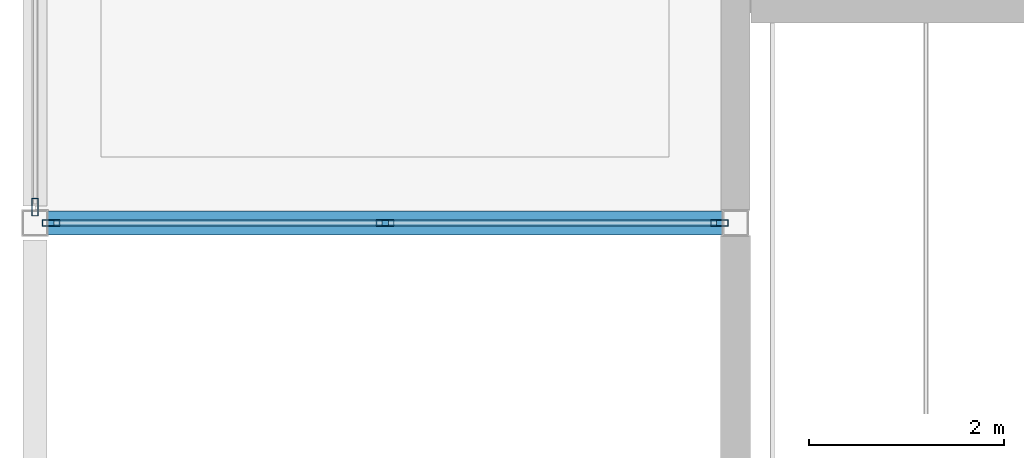
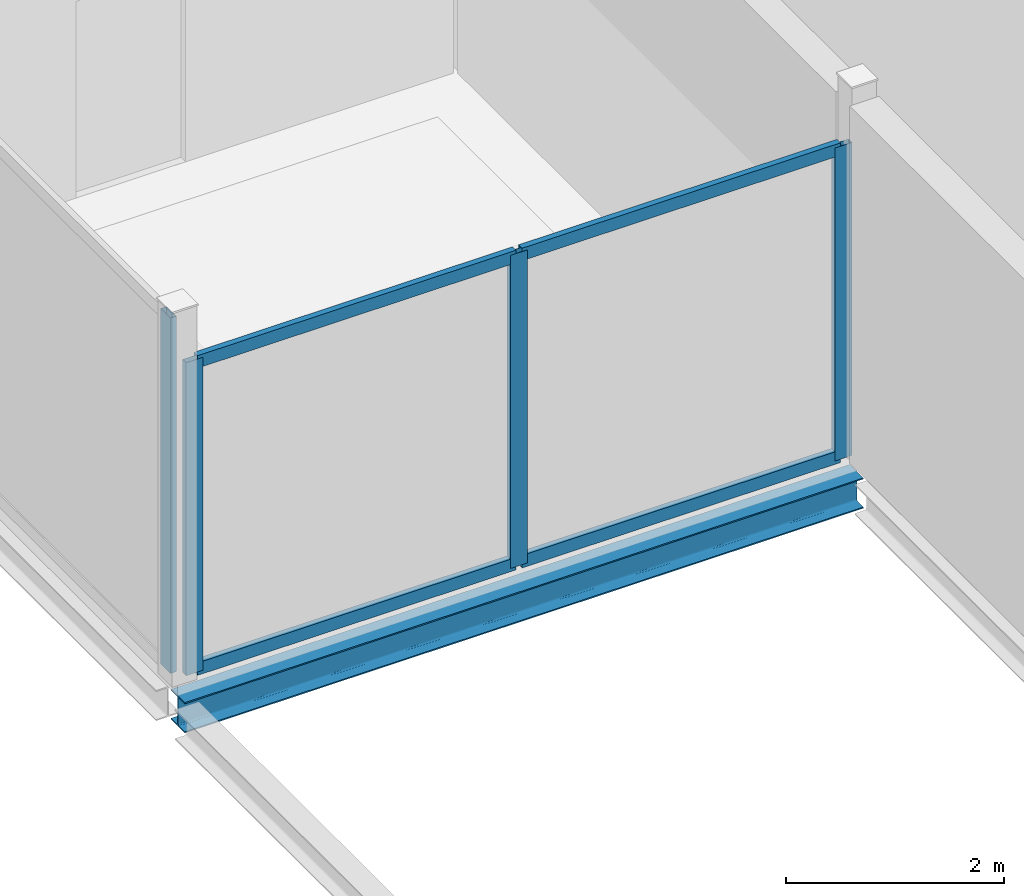
# One storey, part 5 of 18: 8 members, 1 beam, 2 elements without a shape of their own.
"""IFC4 building model written with IfcOpenShell, lengths in metres."""

from ifc_helpers import new_model, si_unit, direction, frame, origin, origin_2d, place, context, subcontext, project, spatial, hollow_rectangle, i_section, extrude, material, material_profile, profile_set, type_object, element, aggregate, save


model = new_model("IFC4")

# Units and contexts
model_context = context("Model", 3, precision=1e-05, world=origin(), true_north=direction((0.0, 1.0)))
body_context = subcontext(model_context, "Body", "Model", "MODEL_VIEW")
ifc_project = project(units=[si_unit("LENGTHUNIT", "METRE"), si_unit("AREAUNIT", "SQUARE_METRE"), si_unit("VOLUMEUNIT", "CUBIC_METRE"), si_unit("PLANEANGLEUNIT", "RADIAN"), si_unit("MASSUNIT", "GRAM", prefix="KILO")], contexts=[model_context])

# Site, building, storey
site_placement = place(None, origin())
site = spatial("IfcSite", under=ifc_project, at=site_placement, CompositionType="ELEMENT")
building_placement = place(site_placement, origin())
building = spatial("IfcBuilding", under=site, at=building_placement, Name="Vesperath Aquatics Centre", CompositionType="ELEMENT")
storey_placement = place(building_placement, frame((0.0, 0.0, 23.39990234375)))
storey = spatial("IfcBuildingStorey", under=building, at=storey_placement, Name="L05", CompositionType="ELEMENT", Elevation=23.39990234375)

# Beam
ifc_material_1 = material(Name="Steel Q355C", Category="steel")
ifc_material_profile_1 = material_profile(ifc_material_1, i_section(OverallWidth=0.25, OverallDepth=0.340087890625, WebThickness=0.009033203125, FlangeThickness=0.013916015625, FilletRadius=0.02001953125, at=origin_2d()), Name="HM 340x250x9x14")
ifc_profile_set_1 = profile_set([ifc_material_profile_1], Name="Steel Q355C")
beam_type = type_object("IfcBeamType", Name="BM-G12", PredefinedType="BEAM", material=ifc_profile_set_1)
beam_placement = place(storey_placement, frame((115.2060546875, 7.199951171875, -0.389892578125), z_axis=(1.0, 0.0, 0.0), x_axis=(0.0, 1.0, 0.0)))
element("IfcBeam", 1, at=beam_placement, inside=storey, type_object=beam_type, Name="Floor Girder B12 L05 B 17-18", PredefinedType="BEAM", context=body_context, shape_type="SweptSolid", body=[
    extrude(i_section(OverallWidth=0.25, OverallDepth=0.340087890625, WebThickness=0.009033203125, FlangeThickness=0.013916015625, FilletRadius=0.02001953125, at=origin_2d()), origin(), (0.0, 0.0, 1.0), 7.18798828125),
])

# Curtain wall, members
ifc_material_2 = material(Name="Thermally broken anodised bronze aluminium curtain wall", Category="aluminium")
curtain_wall_type = type_object("IfcCurtainWallType", Name="CW-07", PredefinedType="NOTDEFINED", material=ifc_material_2)
curtain_wall_1_placement = place(storey_placement, origin())
curtain_wall_1 = element("IfcCurtainWall", 2, at=curtain_wall_1_placement, inside=storey, type_object=curtain_wall_type, Name="Facade Curtain Wall CW07 L05_S_16_01", PredefinedType="NOTDEFINED")
ifc_material_3 = material(Name="Thermally broken anodised aluminium", Category="aluminium")
ifc_material_profile_2 = material_profile(ifc_material_3, hollow_rectangle(XDim=0.06494140625, YDim=0.179931640625, WallThickness=0.00390625, at=origin_2d()), Name="CWM 65x180x4")
ifc_profile_set_2 = profile_set([ifc_material_profile_2], Name="Thermally broken anodised aluminium")
member_type_1 = type_object("IfcMemberType", Name="MB-CWM3", PredefinedType="MULLION", material=ifc_profile_set_2)
member_1_placement = place(storey_placement, frame((115.362548828125, 7.199951171875, 0.0), z_axis=(0.0, 0.0, 1.0), x_axis=(0.0, 1.0, 0.0)))
member_1 = element("IfcMember", 3, at=member_1_placement, type_object=member_type_1, Name="CW07 mullion 1", PredefinedType="MULLION", context=body_context, shape_type="SweptSolid", body=[
    extrude(hollow_rectangle(XDim=0.06494140625, YDim=0.179931640625, WallThickness=0.00390625, at=origin_2d()), origin(), (0.0, 0.0, 1.0), 3.505126953125),
])
member_2_placement = place(storey_placement, frame((118.800048828125, 7.199951171875, 0.0), z_axis=(0.0, 0.0, 1.0), x_axis=(0.0, 1.0, 0.0)))
member_2 = element("IfcMember", 4, at=member_2_placement, type_object=member_type_1, Name="CW07 mullion 2", PredefinedType="MULLION", context=body_context, shape_type="SweptSolid", body=[
    extrude(hollow_rectangle(XDim=0.06494140625, YDim=0.179931640625, WallThickness=0.00390625, at=origin_2d()), origin(), (0.0, 0.0, 1.0), 3.505126953125),
])
member_3_placement = place(storey_placement, frame((122.237548828125, 7.199951171875, 0.0), z_axis=(0.0, 0.0, 1.0), x_axis=(0.0, 1.0, 0.0)))
member_3 = element("IfcMember", 5, at=member_3_placement, type_object=member_type_1, Name="CW07 mullion 3", PredefinedType="MULLION", context=body_context, shape_type="SweptSolid", body=[
    extrude(hollow_rectangle(XDim=0.06494140625, YDim=0.179931640625, WallThickness=0.00390625, at=origin_2d()), origin(), (0.0, 0.0, 1.0), 3.505126953125),
])

# Curtain wall, member
curtain_wall_2_placement = place(storey_placement, origin())
curtain_wall_2 = element("IfcCurtainWall", 6, at=curtain_wall_2_placement, inside=storey, type_object=curtain_wall_type, Name="Facade Curtain Wall CW07 L05_W_16_01", PredefinedType="NOTDEFINED")
member_4_placement = place(storey_placement, frame((115.199951171875, 7.362548828125, 0.0), z_axis=(0.0, 0.0, 1.0), x_axis=(-1.0, 0.0, 0.0)))
member_4 = element("IfcMember", 7, at=member_4_placement, type_object=member_type_1, Name="CW07 mullion 1", PredefinedType="MULLION", context=body_context, shape_type="SweptSolid", body=[
    extrude(hollow_rectangle(XDim=0.06494140625, YDim=0.179931640625, WallThickness=0.00390625, at=origin_2d()), origin(), (0.0, 0.0, 1.0), 3.97998046875),
])
aggregate(curtain_wall_2, [member_4])

# Member
ifc_material_profile_3 = material_profile(ifc_material_3, hollow_rectangle(XDim=0.06494140625, YDim=0.139892578125, WallThickness=0.00390625, at=origin_2d()), Name="CWT 65x140x4")
ifc_profile_set_3 = profile_set([ifc_material_profile_3], Name="Thermally broken anodised aluminium")
member_type_2 = type_object("IfcMemberType", Name="MB-CWT3", PredefinedType="USERDEFINED", material=ifc_profile_set_3)
member_5_placement = place(storey_placement, frame((115.39501953125, 7.199951171875, 0.03271484375), z_axis=(1.0, 0.0, 0.0), x_axis=(0.0, 1.0, 0.0)))
member_5 = element("IfcMember", 8, at=member_5_placement, type_object=member_type_2, Name="CW07 transom 1.1", ObjectType="TRANSOM", PredefinedType="USERDEFINED", context=body_context, shape_type="SweptSolid", body=[
    extrude(hollow_rectangle(XDim=0.06494140625, YDim=0.139892578125, WallThickness=0.00390625, at=origin_2d()), origin(), (0.0, 0.0, 1.0), 3.37255859375),
])

member_6_placement = place(storey_placement, frame((115.39501953125, 7.199951171875, 3.47265625), z_axis=(1.0, 0.0, 0.0), x_axis=(0.0, 1.0, 0.0)))
member_6 = element("IfcMember", 9, at=member_6_placement, type_object=member_type_2, Name="CW07 transom 1.2", ObjectType="TRANSOM", PredefinedType="USERDEFINED", context=body_context, shape_type="SweptSolid", body=[
    extrude(hollow_rectangle(XDim=0.06494140625, YDim=0.139892578125, WallThickness=0.00390625, at=origin_2d()), origin(), (0.0, 0.0, 1.0), 3.37255859375),
])

member_7_placement = place(storey_placement, frame((118.83251953125, 7.199951171875, 0.03271484375), z_axis=(1.0, 0.0, 0.0), x_axis=(0.0, 1.0, 0.0)))
member_7 = element("IfcMember", 10, at=member_7_placement, type_object=member_type_2, Name="CW07 transom 2.1", ObjectType="TRANSOM", PredefinedType="USERDEFINED", context=body_context, shape_type="SweptSolid", body=[
    extrude(hollow_rectangle(XDim=0.06494140625, YDim=0.139892578125, WallThickness=0.00390625, at=origin_2d()), origin(), (0.0, 0.0, 1.0), 3.37255859375),
])

member_8_placement = place(storey_placement, frame((118.83251953125, 7.199951171875, 3.47265625), z_axis=(1.0, 0.0, 0.0), x_axis=(0.0, 1.0, 0.0)))
member_8 = element("IfcMember", 11, at=member_8_placement, type_object=member_type_2, Name="CW07 transom 2.2", ObjectType="TRANSOM", PredefinedType="USERDEFINED", context=body_context, shape_type="SweptSolid", body=[
    extrude(hollow_rectangle(XDim=0.06494140625, YDim=0.139892578125, WallThickness=0.00390625, at=origin_2d()), origin(), (0.0, 0.0, 1.0), 3.37255859375),
])

aggregate(curtain_wall_1, [member_1, member_2, member_3, member_5, member_6, member_7, member_8])

save(model, "model.ifc")
